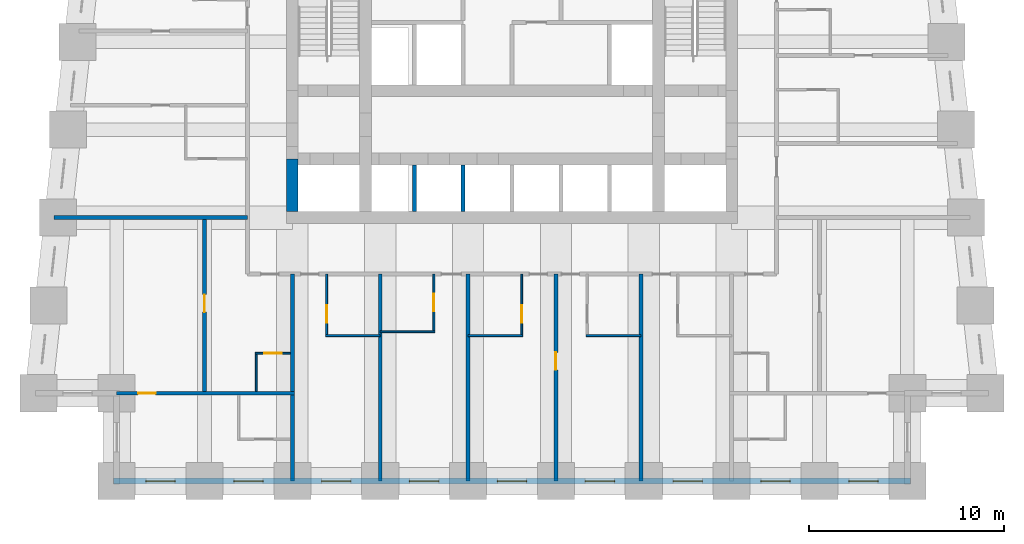
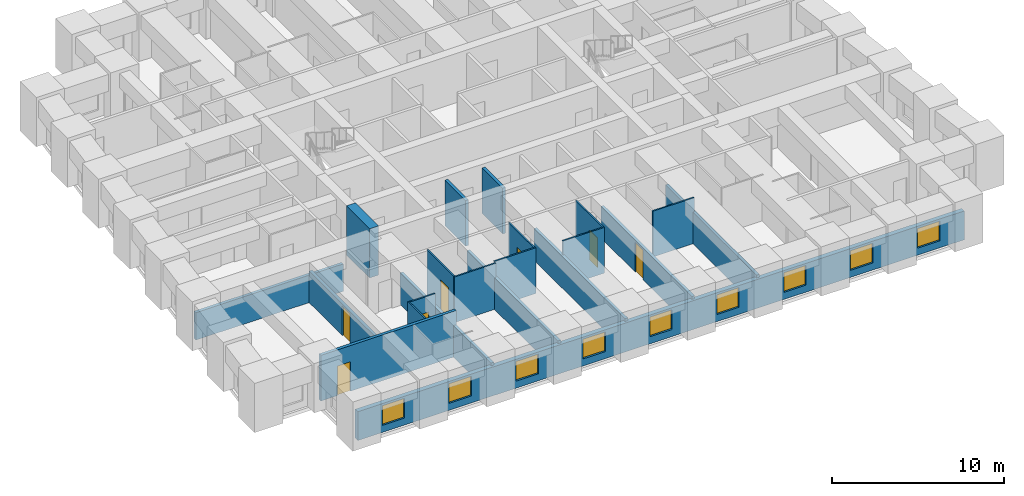
# One storey, part 2 of 8: 21 walls, 9 windows, 7 doors, 16 openings.
"""IFC4 building model written with IfcOpenShell, lengths in metres."""

from ifc_helpers import new_model, si_unit, direction, frame, frame_2d, origin, place, context, subcontext, project, spatial, rectangle, extrude, material, layer, layer_set, type_object, element, fill, save


model = new_model("IFC4")

# Units and contexts
model_context = context("Model", 3, precision=1e-05, world=origin(), true_north=direction((0.0, 1.0)))
body_context = subcontext(model_context, "Body", "Model", "MODEL_VIEW")
ifc_project = project(units=[si_unit("LENGTHUNIT", "METRE"), si_unit("AREAUNIT", "SQUARE_METRE"), si_unit("VOLUMEUNIT", "CUBIC_METRE"), si_unit("PLANEANGLEUNIT", "RADIAN"), si_unit("MASSUNIT", "GRAM", prefix="KILO")], contexts=[model_context])

# Site, building, storey
site_placement = place(None, origin())
site = spatial("IfcSite", under=ifc_project, at=site_placement, CompositionType="ELEMENT")
building_placement = place(site_placement, origin())
building = spatial("IfcBuilding", under=site, at=building_placement, Name="Kilele Tower Hotel", CompositionType="ELEMENT")
storey_placement = place(building_placement, frame((0.0, 0.0, 61.199951171875)))
storey = spatial("IfcBuildingStorey", under=building, at=storey_placement, Name="L14", CompositionType="ELEMENT", Elevation=61.199951171875)

# Wall
ifc_material_1 = material(Name="Moisture-resistant board")
ifc_layer_1 = layer(ifc_material_1, 0.10009765625)
ifc_layer_set_1 = layer_set([ifc_layer_1], Name="Moisture-resistant board")
wall_type_1 = type_object("IfcWallType", Name="Bathroom partition 100", PredefinedType="PLUMBINGWALL", material=ifc_layer_set_1)
wall_1_placement = place(storey_placement, frame((15.199951171875, 7.449951171875, 0.0), z_axis=(0.0, 0.0, 1.0), x_axis=(1.0, 0.0, 0.0)))
element("IfcWall", 1, at=wall_1_placement, inside=storey, type_object=wall_type_1, Name="Bathroom partition 100 L14", PredefinedType="PLUMBINGWALL", context=body_context, shape_type="SweptSolid", body=[
    extrude(rectangle(XDim=2.800048828125, YDim=0.10009765625, at=frame_2d((1.39990234375, 0.0))), origin(), (0.0, 0.0, 1.0), 3.25),
])

# Wall, opening, door
wall_2_placement = place(storey_placement, frame((15.25, 10.60009765625, 0.0), z_axis=(0.0, 0.0, 1.0), x_axis=(0.0, -1.0, 0.0)))
wall_2 = element("IfcWall", 2, at=wall_2_placement, inside=storey, type_object=wall_type_1, Name="Bathroom partition 100 L14", PredefinedType="PLUMBINGWALL", context=body_context, shape_type="SweptSolid", body=[
    extrude(rectangle(XDim=3.2001953125, YDim=0.10009765625, at=frame_2d((1.60009765625, 0.0))), origin(), (0.0, 0.0, 1.0), 3.25),
])
opening_1_placement = place(wall_2_placement, frame((2.5, 0.0, 0.0), z_axis=(0.0, 0.0, 1.0), x_axis=(-1.0, 0.0, 0.0)))
opening_1 = element("IfcOpeningElement", 3, at=opening_1_placement, cuts=wall_2, Name="Opening D2A", PredefinedType="OPENING", context=body_context, shape_type="SweptSolid", body=[
    extrude(rectangle(XDim=0.89990234375, YDim=2.10009765625, at=frame_2d((0.449951171875, 1.050048828125))), frame((0.0, 0.06005859375, 0.0), z_axis=(0.0, -1.0, 0.0), x_axis=(1.0, 0.0, 0.0)), (0.0, 0.0, 1.0), 0.1201171875),
])
ifc_material_2 = material(Name="Timber door leaf in hardwood frame", Category="wood")
door_type_1 = type_object("IfcDoorType", Name="Bathroom door 900", OperationType="SINGLE_SWING_LEFT", PredefinedType="DOOR", material=ifc_material_2)
door_1_placement = place(opening_1_placement, origin())
door_1 = element("IfcDoor", 4, at=door_1_placement, inside=storey, type_object=door_type_1, Name="Bathroom door 1401B", OperationType="SINGLE_SWING_LEFT", OverallHeight=2.10009765625, OverallWidth=0.89990234375, PredefinedType="DOOR", context=body_context, shape_type="SweptSolid", body=[
    extrude(rectangle(XDim=0.89990234375, YDim=2.10009765625, at=frame_2d((0.449951171875, 1.050048828125))), frame((0.0, 0.02490234375, 0.0), z_axis=(0.0, -1.0, 0.0), x_axis=(1.0, 0.0, 0.0)), (0.0, 0.0, 1.0), 0.050048828125),
])
fill(opening_1, door_1)

# Wall
wall_3_placement = place(storey_placement, frame((18.0, 7.64990234375, 0.0), z_axis=(0.0, 0.0, 1.0), x_axis=(1.0, 0.0, 0.0)))
element("IfcWall", 5, at=wall_3_placement, inside=storey, type_object=wall_type_1, Name="Bathroom partition 100 L14", PredefinedType="PLUMBINGWALL", context=body_context, shape_type="SweptSolid", body=[
    extrude(rectangle(XDim=2.800048828125, YDim=0.10009765625, at=frame_2d((1.39990234375, 0.0))), origin(), (0.0, 0.0, 1.0), 3.25),
])

# Wall, opening, door
wall_4_placement = place(storey_placement, frame((20.75, 10.60009765625, 0.0), z_axis=(0.0, 0.0, 1.0), x_axis=(0.0, -1.0, 0.0)))
wall_4 = element("IfcWall", 6, at=wall_4_placement, inside=storey, type_object=wall_type_1, Name="Bathroom partition 100 L14", PredefinedType="PLUMBINGWALL", context=body_context, shape_type="SweptSolid", body=[
    extrude(rectangle(XDim=3.0, YDim=0.10009765625, at=frame_2d((1.5, 0.0))), origin(), (0.0, 0.0, 1.0), 3.25),
])
opening_2_placement = place(wall_4_placement, frame((1.0, 0.0, 0.0)))
opening_2 = element("IfcOpeningElement", 7, at=opening_2_placement, cuts=wall_4, Name="Opening D2A", PredefinedType="OPENING", context=body_context, shape_type="SweptSolid", body=[
    extrude(rectangle(XDim=0.89990234375, YDim=2.10009765625, at=frame_2d((0.449951171875, 1.050048828125))), frame((0.0, 0.06005859375, 0.0), z_axis=(0.0, -1.0, 0.0), x_axis=(1.0, 0.0, 0.0)), (0.0, 0.0, 1.0), 0.1201171875),
])
door_2_placement = place(opening_2_placement, origin())
door_2 = element("IfcDoor", 8, at=door_2_placement, inside=storey, type_object=door_type_1, Name="Bathroom door 1402B", OperationType="SINGLE_SWING_LEFT", OverallHeight=2.10009765625, OverallWidth=0.89990234375, PredefinedType="DOOR", context=body_context, shape_type="SweptSolid", body=[
    extrude(rectangle(XDim=0.89990234375, YDim=2.10009765625, at=frame_2d((0.449951171875, 1.050048828125))), frame((0.0, 0.02490234375, 0.0), z_axis=(0.0, -1.0, 0.0), x_axis=(1.0, 0.0, 0.0)), (0.0, 0.0, 1.0), 0.050048828125),
])
fill(opening_2, door_2)

# Wall
wall_5_placement = place(storey_placement, frame((22.5, 7.449951171875, 0.0), z_axis=(0.0, 0.0, 1.0), x_axis=(1.0, 0.0, 0.0)))
element("IfcWall", 9, at=wall_5_placement, inside=storey, type_object=wall_type_1, Name="Bathroom partition 100 L14", PredefinedType="PLUMBINGWALL", context=body_context, shape_type="SweptSolid", body=[
    extrude(rectangle(XDim=2.800048828125, YDim=0.10009765625, at=frame_2d((1.39990234375, 0.0))), origin(), (0.0, 0.0, 1.0), 3.25),
])

# Wall, opening, door
wall_6_placement = place(storey_placement, frame((25.25, 10.60009765625, 0.0), z_axis=(0.0, 0.0, 1.0), x_axis=(0.0, -1.0, 0.0)))
wall_6 = element("IfcWall", 10, at=wall_6_placement, inside=storey, type_object=wall_type_1, Name="Bathroom partition 100 L14", PredefinedType="PLUMBINGWALL", context=body_context, shape_type="SweptSolid", body=[
    extrude(rectangle(XDim=3.2001953125, YDim=0.10009765625, at=frame_2d((1.60009765625, 0.0))), origin(), (0.0, 0.0, 1.0), 3.25),
])
opening_3_placement = place(wall_6_placement, frame((1.60009765625, 0.0, 0.0)))
opening_3 = element("IfcOpeningElement", 11, at=opening_3_placement, cuts=wall_6, Name="Opening D2A", PredefinedType="OPENING", context=body_context, shape_type="SweptSolid", body=[
    extrude(rectangle(XDim=0.89990234375, YDim=2.10009765625, at=frame_2d((0.449951171875, 1.050048828125))), frame((0.0, 0.06005859375, 0.0), z_axis=(0.0, -1.0, 0.0), x_axis=(1.0, 0.0, 0.0)), (0.0, 0.0, 1.0), 0.1201171875),
])
door_3_placement = place(opening_3_placement, origin())
door_3 = element("IfcDoor", 12, at=door_3_placement, inside=storey, type_object=door_type_1, Name="Bathroom door 1403B", OperationType="SINGLE_SWING_RIGHT", OverallHeight=2.10009765625, OverallWidth=0.89990234375, PredefinedType="DOOR", context=body_context, shape_type="SweptSolid", body=[
    extrude(rectangle(XDim=0.89990234375, YDim=2.10009765625, at=frame_2d((0.449951171875, 1.050048828125))), frame((0.0, 0.02490234375, 0.0), z_axis=(0.0, -1.0, 0.0), x_axis=(1.0, 0.0, 0.0)), (0.0, 0.0, 1.0), 0.050048828125),
])
fill(opening_3, door_3)

# Walls
wall_7_placement = place(storey_placement, frame((28.550048828125, 7.449951171875, 0.0), z_axis=(0.0, 0.0, 1.0), x_axis=(1.0, 0.0, 0.0)))
element("IfcWall", 13, at=wall_7_placement, inside=storey, type_object=wall_type_1, Name="Bathroom partition 100 L14", PredefinedType="PLUMBINGWALL", context=body_context, shape_type="SweptSolid", body=[
    extrude(rectangle(XDim=2.800048828125, YDim=0.10009765625, at=frame_2d((1.39990234375, 0.0))), origin(), (0.0, 0.0, 1.0), 3.25),
])
wall_8_placement = place(storey_placement, frame((11.64990234375, 4.60009765625, 0.0), z_axis=(0.0, 0.0, 1.0), x_axis=(0.0, 1.0, 0.0)))
element("IfcWall", 14, at=wall_8_placement, inside=storey, type_object=wall_type_1, Name="Bathroom partition 100 L14", PredefinedType="PLUMBINGWALL", context=body_context, shape_type="SweptSolid", body=[
    extrude(rectangle(XDim=2.0, YDim=0.10009765625, at=frame_2d((1.0, 0.0))), origin(), (0.0, 0.0, 1.0), 3.25),
])

# Wall, opening, door
wall_9_placement = place(storey_placement, frame((13.39990234375, 6.550048828125, 0.0), z_axis=(0.0, 0.0, 1.0), x_axis=(-1.0, 0.0, 0.0)))
wall_9 = element("IfcWall", 15, at=wall_9_placement, inside=storey, type_object=wall_type_1, Name="Bathroom partition 100 L14", PredefinedType="PLUMBINGWALL", context=body_context, shape_type="SweptSolid", body=[
    extrude(rectangle(XDim=1.7998046875, YDim=0.10009765625, at=frame_2d((0.89990234375, 0.0))), origin(), (0.0, 0.0, 1.0), 3.25),
])
opening_4_placement = place(wall_9_placement, frame((1.349853515625, 0.0, 0.0), z_axis=(0.0, 0.0, 1.0), x_axis=(-1.0, 0.0, 0.0)))
opening_4 = element("IfcOpeningElement", 16, at=opening_4_placement, cuts=wall_9, Name="Opening D2A", PredefinedType="OPENING", context=body_context, shape_type="SweptSolid", body=[
    extrude(rectangle(XDim=0.89990234375, YDim=2.10009765625, at=frame_2d((0.449951171875, 1.050048828125))), frame((0.0, 0.06005859375, 0.0), z_axis=(0.0, -1.0, 0.0), x_axis=(1.0, 0.0, 0.0)), (0.0, 0.0, 1.0), 0.1201171875),
])
door_4_placement = place(opening_4_placement, origin())
door_4 = element("IfcDoor", 17, at=door_4_placement, inside=storey, type_object=door_type_1, Name="Bathroom door 1417P", OperationType="SINGLE_SWING_RIGHT", OverallHeight=2.10009765625, OverallWidth=0.89990234375, PredefinedType="DOOR", context=body_context, shape_type="SweptSolid", body=[
    extrude(rectangle(XDim=0.89990234375, YDim=2.10009765625, at=frame_2d((0.449951171875, 1.050048828125))), frame((0.0, 0.02490234375, 0.0), z_axis=(0.0, -1.0, 0.0), x_axis=(1.0, 0.0, 0.0)), (0.0, 0.0, 1.0), 0.050048828125),
])
fill(opening_4, door_4)

# Wall
ifc_material_3 = material(Name="Concrete C60/75", Category="concrete")
ifc_layer_2 = layer(ifc_material_3, 0.60009765625)
ifc_layer_set_2 = layer_set([ifc_layer_2], Name="Concrete C60/75")
wall_type_2 = type_object("IfcWallType", Name="Core wall 600 C60/75", PredefinedType="SHEAR", material=ifc_layer_set_2)
wall_10_placement = place(storey_placement, frame((13.5, 16.5, 0.0), z_axis=(0.0, 0.0, 1.0), x_axis=(0.0, -1.0, 0.0)))
element("IfcWall", 18, at=wall_10_placement, inside=storey, type_object=wall_type_2, Name="Core wall W3 L14", PredefinedType="SHEAR", context=body_context, shape_type="SweptSolid", body=[
    extrude(rectangle(XDim=2.699951171875, YDim=0.60009765625, at=frame_2d((1.35009765625, 0.0))), origin(), (0.0, 0.0, 1.0), 3.5),
])

# Wall, opening, door
ifc_material_4 = material(Name="Blockwork, plastered both sides", Category="masonry")
ifc_layer_3 = layer(ifc_material_4, 0.199951171875)
ifc_layer_set_3 = layer_set([ifc_layer_3], Name="Blockwork, plastered both sides")
wall_type_3 = type_object("IfcWallType", Name="Partition wall 200", PredefinedType="PARTITIONING", material=ifc_layer_set_3)
wall_11_placement = place(storey_placement, frame((9.0, 4.60009765625, 0.0), z_axis=(0.0, 0.0, 1.0), x_axis=(0.0, 1.0, 0.0)))
wall_11 = element("IfcWall", 19, at=wall_11_placement, inside=storey, type_object=wall_type_3, Name="Partition wall 200 L14", PredefinedType="PARTITIONING", context=body_context, shape_type="SweptSolid", body=[
    extrude(rectangle(XDim=8.7998046875, YDim=0.199951171875, at=frame_2d((4.39990234375, 0.0))), origin(), (0.0, 0.0, 1.0), 2.25),
])
opening_5_placement = place(wall_11_placement, frame((4.050048828125, 0.0, 0.0)))
opening_5 = element("IfcOpeningElement", 20, at=opening_5_placement, cuts=wall_11, Name="Opening D3", PredefinedType="OPENING", context=body_context, shape_type="SweptSolid", body=[
    extrude(rectangle(XDim=0.89990234375, YDim=2.10009765625, at=frame_2d((0.449951171875, 1.050048828125))), frame((0.0, 0.10986328125, 0.0), z_axis=(0.0, -1.0, 0.0), x_axis=(1.0, 0.0, 0.0)), (0.0, 0.0, 1.0), 0.219970703125),
])
ifc_material_5 = material(Name="Timber door leaf in hardwood frame", Category="wood")
door_type_2 = type_object("IfcDoorType", Name="Suite internal door 900", OperationType="SINGLE_SWING_LEFT", PredefinedType="DOOR", material=ifc_material_5)
door_5_placement = place(opening_5_placement, origin())
door_5 = element("IfcDoor", 21, at=door_5_placement, inside=storey, type_object=door_type_2, Name="Suite door 1418", OperationType="SINGLE_SWING_RIGHT", OverallHeight=2.10009765625, OverallWidth=0.89990234375, PredefinedType="DOOR", context=body_context, shape_type="SweptSolid", body=[
    extrude(rectangle(XDim=0.89990234375, YDim=2.10009765625, at=frame_2d((0.449951171875, 1.050048828125))), frame((0.0, 0.02490234375, 0.0), z_axis=(0.0, -1.0, 0.0), x_axis=(1.0, 0.0, 0.0)), (0.0, 0.0, 1.0), 0.050048828125),
])
fill(opening_5, door_5)

# Walls
ifc_material_6 = material(Name="Blockwork, plastered both sides", Category="masonry")
ifc_layer_4 = layer(ifc_material_6, 0.199951171875)
ifc_layer_set_4 = layer_set([ifc_layer_4], Name="Blockwork, plastered both sides")
wall_type_4 = type_object("IfcWallType", Name="Party wall 200", PredefinedType="PARTITIONING", material=ifc_layer_set_4)
for number, where, z_axis, x_axis, name in (
    (22, (18.0, 10.60009765625, 0.0), (0.0, 0.0, 1.0), (0.0, -1.0, 0.0), "Party wall 200 L14"),
    (23, (22.5, 10.60009765625, 0.0), (0.0, 0.0, 1.0), (0.0, -1.0, 0.0), "Party wall 200 L14"),
):
    element("IfcWall", number, at=place(storey_placement, frame(where, z_axis=z_axis, x_axis=x_axis)), inside=storey, type_object=wall_type_4, Name=name, PredefinedType="PARTITIONING", context=body_context, shape_type="SweptSolid", body=[
        extrude(rectangle(XDim=10.60009765625, YDim=0.199951171875, at=frame_2d((5.300048828125, 0.0))), origin(), (0.0, 0.0, 1.0), 2.25),
    ])

# Wall, opening, door
wall_12_placement = place(storey_placement, frame((27.0, 10.60009765625, 0.0), z_axis=(0.0, 0.0, 1.0), x_axis=(0.0, -1.0, 0.0)))
wall_12 = element("IfcWall", 24, at=wall_12_placement, inside=storey, type_object=wall_type_4, Name="Party wall 200 L14", PredefinedType="PARTITIONING", context=body_context, shape_type="SweptSolid", body=[
    extrude(rectangle(XDim=10.60009765625, YDim=0.199951171875, at=frame_2d((5.300048828125, 0.0))), origin(), (0.0, 0.0, 1.0), 2.25),
])
opening_6_placement = place(wall_12_placement, frame((4.0, 0.0, 0.0)))
opening_6 = element("IfcOpeningElement", 25, at=opening_6_placement, cuts=wall_12, Name="Opening D3C", PredefinedType="OPENING", context=body_context, shape_type="SweptSolid", body=[
    extrude(rectangle(XDim=0.89990234375, YDim=2.10009765625, at=frame_2d((0.449951171875, 1.050048828125))), frame((0.0, 0.10986328125, 0.0), z_axis=(0.0, -1.0, 0.0), x_axis=(1.0, 0.0, 0.0)), (0.0, 0.0, 1.0), 0.219970703125),
])
ifc_material_7 = material(Name="Timber door leaf in hardwood frame", Category="wood")
door_type_3 = type_object("IfcDoorType", Name="Connecting door 900", OperationType="SINGLE_SWING_LEFT", PredefinedType="DOOR", material=ifc_material_7)
door_6_placement = place(opening_6_placement, origin())
door_6 = element("IfcDoor", 26, at=door_6_placement, inside=storey, type_object=door_type_3, Name="Connecting door 1404", OperationType="SINGLE_SWING_LEFT", OverallHeight=2.10009765625, OverallWidth=0.89990234375, PredefinedType="DOOR", context=body_context, shape_type="SweptSolid", body=[
    extrude(rectangle(XDim=0.89990234375, YDim=2.10009765625, at=frame_2d((0.449951171875, 1.050048828125))), frame((0.0, 0.02490234375, 0.0), z_axis=(0.0, -1.0, 0.0), x_axis=(1.0, 0.0, 0.0)), (0.0, 0.0, 1.0), 0.050048828125),
])
fill(opening_6, door_6)

# Walls
wall_13_placement = place(storey_placement, frame((31.35009765625, 10.60009765625, 0.0), z_axis=(0.0, 0.0, 1.0), x_axis=(0.0, -1.0, 0.0)))
element("IfcWall", 27, at=wall_13_placement, inside=storey, type_object=wall_type_4, Name="Party wall 200 L14", PredefinedType="PARTITIONING", context=body_context, shape_type="SweptSolid", body=[
    extrude(rectangle(XDim=10.60009765625, YDim=0.199951171875, at=frame_2d((5.300048828125, 0.0))), origin(), (0.0, 0.0, 1.0), 2.25),
])
wall_14_placement = place(storey_placement, frame((11.199951171875, 13.5, 0.0), z_axis=(0.0, 0.0, 1.0), x_axis=(-1.0, 0.0, 0.0)))
element("IfcWall", 28, at=wall_14_placement, inside=storey, type_object=wall_type_4, Name="Party wall 200 L14", PredefinedType="PARTITIONING", context=body_context, shape_type="SweptSolid", body=[
    extrude(rectangle(XDim=9.921142578125, YDim=0.199951171875, at=frame_2d((4.96044921875, 0.0))), origin(), (0.0, 0.0, 1.0), 1.949951171875),
])
wall_15_placement = place(storey_placement, frame((13.5, 10.60009765625, 0.0), z_axis=(0.0, 0.0, 1.0), x_axis=(0.0, -1.0, 0.0)))
element("IfcWall", 29, at=wall_15_placement, inside=storey, type_object=wall_type_4, Name="Party wall 200 L14", PredefinedType="PARTITIONING", context=body_context, shape_type="SweptSolid", body=[
    extrude(rectangle(XDim=10.60009765625, YDim=0.199951171875, at=frame_2d((5.300048828125, 0.0))), origin(), (0.0, 0.0, 1.0), 2.25),
])

# Wall, opening, door
wall_16_placement = place(storey_placement, frame((13.60009765625, 4.5, 0.0), z_axis=(0.0, 0.0, 1.0), x_axis=(-1.0, 0.0, 0.0)))
wall_16 = element("IfcWall", 30, at=wall_16_placement, inside=storey, type_object=wall_type_4, Name="Party wall 200 L14", PredefinedType="PARTITIONING", context=body_context, shape_type="SweptSolid", body=[
    extrude(rectangle(XDim=9.10009765625, YDim=0.199951171875, at=frame_2d((4.550048828125, 0.0))), origin(), (0.0, 0.0, 1.0), 3.25),
])
opening_7_placement = place(wall_16_placement, frame((7.10009765625, 0.0, 0.0)))
opening_7 = element("IfcOpeningElement", 31, at=opening_7_placement, cuts=wall_16, Name="Opening D3", PredefinedType="OPENING", context=body_context, shape_type="SweptSolid", body=[
    extrude(rectangle(XDim=0.89990234375, YDim=2.10009765625, at=frame_2d((0.449951171875, 1.050048828125))), frame((0.0, 0.10986328125, 0.0), z_axis=(0.0, -1.0, 0.0), x_axis=(1.0, 0.0, 0.0)), (0.0, 0.0, 1.0), 0.219970703125),
])
door_7_placement = place(opening_7_placement, origin())
door_7 = element("IfcDoor", 32, at=door_7_placement, inside=storey, type_object=door_type_2, Name="Suite door 1419", OperationType="SINGLE_SWING_RIGHT", OverallHeight=2.10009765625, OverallWidth=0.89990234375, PredefinedType="DOOR", context=body_context, shape_type="SweptSolid", body=[
    extrude(rectangle(XDim=0.89990234375, YDim=2.10009765625, at=frame_2d((0.449951171875, 1.050048828125))), frame((0.0, 0.02490234375, 0.0), z_axis=(0.0, -1.0, 0.0), x_axis=(1.0, 0.0, 0.0)), (0.0, 0.0, 1.0), 0.050048828125),
])
fill(opening_7, door_7)

# Wall, openings, windows
ifc_material_8 = material(Name="Concrete C40/50 precast", Category="concrete")
ifc_layer_5 = layer(ifc_material_8, 0.260009765625, Name="Precast backing", Category="LoadBearing")
ifc_material_9 = material(Name="Reconstituted stone finish", Category="masonry")
ifc_layer_6 = layer(ifc_material_9, 0.0400390625, Name="Face mix", Category="Finish")
ifc_layer_set_5 = layer_set([ifc_layer_5, ifc_layer_6], Name="Precast concrete C40/50, reconstituted stone finish")
wall_type_5 = type_object("IfcWallType", Name="Precast stone facade wall 300", PredefinedType="STANDARD", material=ifc_layer_set_5)
wall_17_placement = place(storey_placement, frame((4.35009765625, 0.0, 0.0), z_axis=(0.0, 0.0, 1.0), x_axis=(1.0, 0.0, 0.0)))
wall_17 = element("IfcWall", 33, at=wall_17_placement, inside=storey, type_object=wall_type_5, Name="Facade wall L14 edge 3", PredefinedType="STANDARD", context=body_context, shape_type="SweptSolid", body=[
    extrude(rectangle(XDim=40.7998046875, YDim=0.300048828125, at=frame_2d((20.39990234375, 0.0))), origin(), (0.0, 0.0, 1.0), 2.050048828125),
])
opening_8_placement = place(wall_17_placement, frame((1.64990234375, 0.0, 0.5)))
opening_8 = element("IfcOpeningElement", 34, at=opening_8_placement, cuts=wall_17, Name="Opening W1", PredefinedType="OPENING", context=body_context, shape_type="SweptSolid", body=[
    extrude(rectangle(XDim=1.5, YDim=1.39990234375, at=frame_2d((0.75, 0.699951171875))), frame((0.0, 0.159912109375, 0.0), z_axis=(0.0, -1.0, 0.0), x_axis=(1.0, 0.0, 0.0)), (0.0, 0.0, 1.0), 0.320068359375),
])
opening_9_placement = place(wall_17_placement, frame((6.14990234375, 0.0, 0.5)))
opening_9 = element("IfcOpeningElement", 35, at=opening_9_placement, cuts=wall_17, Name="Opening W1", PredefinedType="OPENING", context=body_context, shape_type="SweptSolid", body=[
    extrude(rectangle(XDim=1.5, YDim=1.39990234375, at=frame_2d((0.75, 0.699951171875))), frame((0.0, 0.159912109375, 0.0), z_axis=(0.0, -1.0, 0.0), x_axis=(1.0, 0.0, 0.0)), (0.0, 0.0, 1.0), 0.320068359375),
])
opening_10_placement = place(wall_17_placement, frame((10.64990234375, 0.0, 0.5)))
opening_10 = element("IfcOpeningElement", 36, at=opening_10_placement, cuts=wall_17, Name="Opening W1", PredefinedType="OPENING", context=body_context, shape_type="SweptSolid", body=[
    extrude(rectangle(XDim=1.5, YDim=1.39990234375, at=frame_2d((0.75, 0.699951171875))), frame((0.0, 0.159912109375, 0.0), z_axis=(0.0, -1.0, 0.0), x_axis=(1.0, 0.0, 0.0)), (0.0, 0.0, 1.0), 0.320068359375),
])
opening_11_placement = place(wall_17_placement, frame((15.14990234375, 0.0, 0.5)))
opening_11 = element("IfcOpeningElement", 37, at=opening_11_placement, cuts=wall_17, Name="Opening W1", PredefinedType="OPENING", context=body_context, shape_type="SweptSolid", body=[
    extrude(rectangle(XDim=1.5, YDim=1.39990234375, at=frame_2d((0.75, 0.699951171875))), frame((0.0, 0.159912109375, 0.0), z_axis=(0.0, -1.0, 0.0), x_axis=(1.0, 0.0, 0.0)), (0.0, 0.0, 1.0), 0.320068359375),
])
opening_12_placement = place(wall_17_placement, frame((19.64990234375, 0.0, 0.5)))
opening_12 = element("IfcOpeningElement", 38, at=opening_12_placement, cuts=wall_17, Name="Opening W1", PredefinedType="OPENING", context=body_context, shape_type="SweptSolid", body=[
    extrude(rectangle(XDim=1.5, YDim=1.39990234375, at=frame_2d((0.75, 0.699951171875))), frame((0.0, 0.159912109375, 0.0), z_axis=(0.0, -1.0, 0.0), x_axis=(1.0, 0.0, 0.0)), (0.0, 0.0, 1.0), 0.320068359375),
])
opening_13_placement = place(wall_17_placement, frame((24.14990234375, 0.0, 0.5)))
opening_13 = element("IfcOpeningElement", 39, at=opening_13_placement, cuts=wall_17, Name="Opening W1", PredefinedType="OPENING", context=body_context, shape_type="SweptSolid", body=[
    extrude(rectangle(XDim=1.5, YDim=1.39990234375, at=frame_2d((0.75, 0.699951171875))), frame((0.0, 0.159912109375, 0.0), z_axis=(0.0, -1.0, 0.0), x_axis=(1.0, 0.0, 0.0)), (0.0, 0.0, 1.0), 0.320068359375),
])
opening_14_placement = place(wall_17_placement, frame((28.64990234375, 0.0, 0.5)))
opening_14 = element("IfcOpeningElement", 40, at=opening_14_placement, cuts=wall_17, Name="Opening W1", PredefinedType="OPENING", context=body_context, shape_type="SweptSolid", body=[
    extrude(rectangle(XDim=1.5, YDim=1.39990234375, at=frame_2d((0.75, 0.699951171875))), frame((0.0, 0.159912109375, 0.0), z_axis=(0.0, -1.0, 0.0), x_axis=(1.0, 0.0, 0.0)), (0.0, 0.0, 1.0), 0.320068359375),
])
opening_15_placement = place(wall_17_placement, frame((33.14990234375, 0.0, 0.5)))
opening_15 = element("IfcOpeningElement", 41, at=opening_15_placement, cuts=wall_17, Name="Opening W1", PredefinedType="OPENING", context=body_context, shape_type="SweptSolid", body=[
    extrude(rectangle(XDim=1.5, YDim=1.39990234375, at=frame_2d((0.75, 0.699951171875))), frame((0.0, 0.159912109375, 0.0), z_axis=(0.0, -1.0, 0.0), x_axis=(1.0, 0.0, 0.0)), (0.0, 0.0, 1.0), 0.320068359375),
])
opening_16_placement = place(wall_17_placement, frame((37.64990234375, 0.0, 0.5)))
opening_16 = element("IfcOpeningElement", 42, at=opening_16_placement, cuts=wall_17, Name="Opening W1", PredefinedType="OPENING", context=body_context, shape_type="SweptSolid", body=[
    extrude(rectangle(XDim=1.5, YDim=1.39990234375, at=frame_2d((0.75, 0.699951171875))), frame((0.0, 0.159912109375, 0.0), z_axis=(0.0, -1.0, 0.0), x_axis=(1.0, 0.0, 0.0)), (0.0, 0.0, 1.0), 0.320068359375),
])
ifc_material_10 = material(Name="Aluminium frame, clear double glazing", Category="aluminium")
window_type = type_object("IfcWindowType", Name="Window W1 1500 x 1400", PartitioningType="SINGLE_PANEL", PredefinedType="WINDOW", material=ifc_material_10)
window_1_placement = place(opening_8_placement, origin())
window_1 = element("IfcWindow", 43, at=window_1_placement, inside=storey, type_object=window_type, Name="Window L14", OverallHeight=1.39990234375, OverallWidth=1.5, PartitioningType="SINGLE_PANEL", PredefinedType="WINDOW", context=body_context, shape_type="SweptSolid", body=[
    extrude(rectangle(XDim=1.5, YDim=1.39990234375, at=frame_2d((0.75, 0.699951171875))), frame((0.0, 0.030029296875, 0.0), z_axis=(0.0, -1.0, 0.0), x_axis=(1.0, 0.0, 0.0)), (0.0, 0.0, 1.0), 0.06005859375),
])
fill(opening_8, window_1)
window_2_placement = place(opening_9_placement, origin())
window_2 = element("IfcWindow", 44, at=window_2_placement, inside=storey, type_object=window_type, Name="Window L14", OverallHeight=1.39990234375, OverallWidth=1.5, PartitioningType="SINGLE_PANEL", PredefinedType="WINDOW", context=body_context, shape_type="SweptSolid", body=[
    extrude(rectangle(XDim=1.5, YDim=1.39990234375, at=frame_2d((0.75, 0.699951171875))), frame((0.0, 0.030029296875, 0.0), z_axis=(0.0, -1.0, 0.0), x_axis=(1.0, 0.0, 0.0)), (0.0, 0.0, 1.0), 0.06005859375),
])
fill(opening_9, window_2)
window_3_placement = place(opening_10_placement, origin())
window_3 = element("IfcWindow", 45, at=window_3_placement, inside=storey, type_object=window_type, Name="Window L14", OverallHeight=1.39990234375, OverallWidth=1.5, PartitioningType="SINGLE_PANEL", PredefinedType="WINDOW", context=body_context, shape_type="SweptSolid", body=[
    extrude(rectangle(XDim=1.5, YDim=1.39990234375, at=frame_2d((0.75, 0.699951171875))), frame((0.0, 0.030029296875, 0.0), z_axis=(0.0, -1.0, 0.0), x_axis=(1.0, 0.0, 0.0)), (0.0, 0.0, 1.0), 0.06005859375),
])
fill(opening_10, window_3)
window_4_placement = place(opening_11_placement, origin())
window_4 = element("IfcWindow", 46, at=window_4_placement, inside=storey, type_object=window_type, Name="Window L14", OverallHeight=1.39990234375, OverallWidth=1.5, PartitioningType="SINGLE_PANEL", PredefinedType="WINDOW", context=body_context, shape_type="SweptSolid", body=[
    extrude(rectangle(XDim=1.5, YDim=1.39990234375, at=frame_2d((0.75, 0.699951171875))), frame((0.0, 0.030029296875, 0.0), z_axis=(0.0, -1.0, 0.0), x_axis=(1.0, 0.0, 0.0)), (0.0, 0.0, 1.0), 0.06005859375),
])
fill(opening_11, window_4)
window_5_placement = place(opening_12_placement, origin())
window_5 = element("IfcWindow", 47, at=window_5_placement, inside=storey, type_object=window_type, Name="Window L14", OverallHeight=1.39990234375, OverallWidth=1.5, PartitioningType="SINGLE_PANEL", PredefinedType="WINDOW", context=body_context, shape_type="SweptSolid", body=[
    extrude(rectangle(XDim=1.5, YDim=1.39990234375, at=frame_2d((0.75, 0.699951171875))), frame((0.0, 0.030029296875, 0.0), z_axis=(0.0, -1.0, 0.0), x_axis=(1.0, 0.0, 0.0)), (0.0, 0.0, 1.0), 0.06005859375),
])
fill(opening_12, window_5)
window_6_placement = place(opening_13_placement, origin())
window_6 = element("IfcWindow", 48, at=window_6_placement, inside=storey, type_object=window_type, Name="Window L14", OverallHeight=1.39990234375, OverallWidth=1.5, PartitioningType="SINGLE_PANEL", PredefinedType="WINDOW", context=body_context, shape_type="SweptSolid", body=[
    extrude(rectangle(XDim=1.5, YDim=1.39990234375, at=frame_2d((0.75, 0.699951171875))), frame((0.0, 0.030029296875, 0.0), z_axis=(0.0, -1.0, 0.0), x_axis=(1.0, 0.0, 0.0)), (0.0, 0.0, 1.0), 0.06005859375),
])
fill(opening_13, window_6)
window_7_placement = place(opening_14_placement, origin())
window_7 = element("IfcWindow", 49, at=window_7_placement, inside=storey, type_object=window_type, Name="Window L14", OverallHeight=1.39990234375, OverallWidth=1.5, PartitioningType="SINGLE_PANEL", PredefinedType="WINDOW", context=body_context, shape_type="SweptSolid", body=[
    extrude(rectangle(XDim=1.5, YDim=1.39990234375, at=frame_2d((0.75, 0.699951171875))), frame((0.0, 0.030029296875, 0.0), z_axis=(0.0, -1.0, 0.0), x_axis=(1.0, 0.0, 0.0)), (0.0, 0.0, 1.0), 0.06005859375),
])
fill(opening_14, window_7)
window_8_placement = place(opening_15_placement, origin())
window_8 = element("IfcWindow", 50, at=window_8_placement, inside=storey, type_object=window_type, Name="Window L14", OverallHeight=1.39990234375, OverallWidth=1.5, PartitioningType="SINGLE_PANEL", PredefinedType="WINDOW", context=body_context, shape_type="SweptSolid", body=[
    extrude(rectangle(XDim=1.5, YDim=1.39990234375, at=frame_2d((0.75, 0.699951171875))), frame((0.0, 0.030029296875, 0.0), z_axis=(0.0, -1.0, 0.0), x_axis=(1.0, 0.0, 0.0)), (0.0, 0.0, 1.0), 0.06005859375),
])
fill(opening_15, window_8)
window_9_placement = place(opening_16_placement, origin())
window_9 = element("IfcWindow", 51, at=window_9_placement, inside=storey, type_object=window_type, Name="Window L14", OverallHeight=1.39990234375, OverallWidth=1.5, PartitioningType="SINGLE_PANEL", PredefinedType="WINDOW", context=body_context, shape_type="SweptSolid", body=[
    extrude(rectangle(XDim=1.5, YDim=1.39990234375, at=frame_2d((0.75, 0.699951171875))), frame((0.0, 0.030029296875, 0.0), z_axis=(0.0, -1.0, 0.0), x_axis=(1.0, 0.0, 0.0)), (0.0, 0.0, 1.0), 0.06005859375),
])
fill(opening_16, window_9)

# Walls
ifc_material_11 = material(Name="Blockwork, fire-rated", Category="masonry")
ifc_layer_7 = layer(ifc_material_11, 0.199951171875)
ifc_layer_set_6 = layer_set([ifc_layer_7], Name="Blockwork, fire-rated")
wall_type_6 = type_object("IfcWallType", Name="Shaft wall 200", PredefinedType="PARTITIONING", material=ifc_layer_set_6)
for number, where, z_axis, x_axis, name in (
    (52, (19.75, 13.800048828125, 0.0), (0.0, 0.0, 1.0), (0.0, 1.0, 0.0), "Shaft wall 200 L14"),
    (53, (22.25, 13.800048828125, 0.0), (0.0, 0.0, 1.0), (0.0, 1.0, 0.0), "Shaft wall 200 L14"),
):
    element("IfcWall", number, at=place(storey_placement, frame(where, z_axis=z_axis, x_axis=x_axis)), inside=storey, type_object=wall_type_6, Name=name, PredefinedType="PARTITIONING", context=body_context, shape_type="SweptSolid", body=[
        extrude(rectangle(XDim=2.39990234375, YDim=0.199951171875, at=frame_2d((1.199951171875, 0.0))), origin(), (0.0, 0.0, 1.0), 3.25),
    ])

save(model, "model.ifc")
